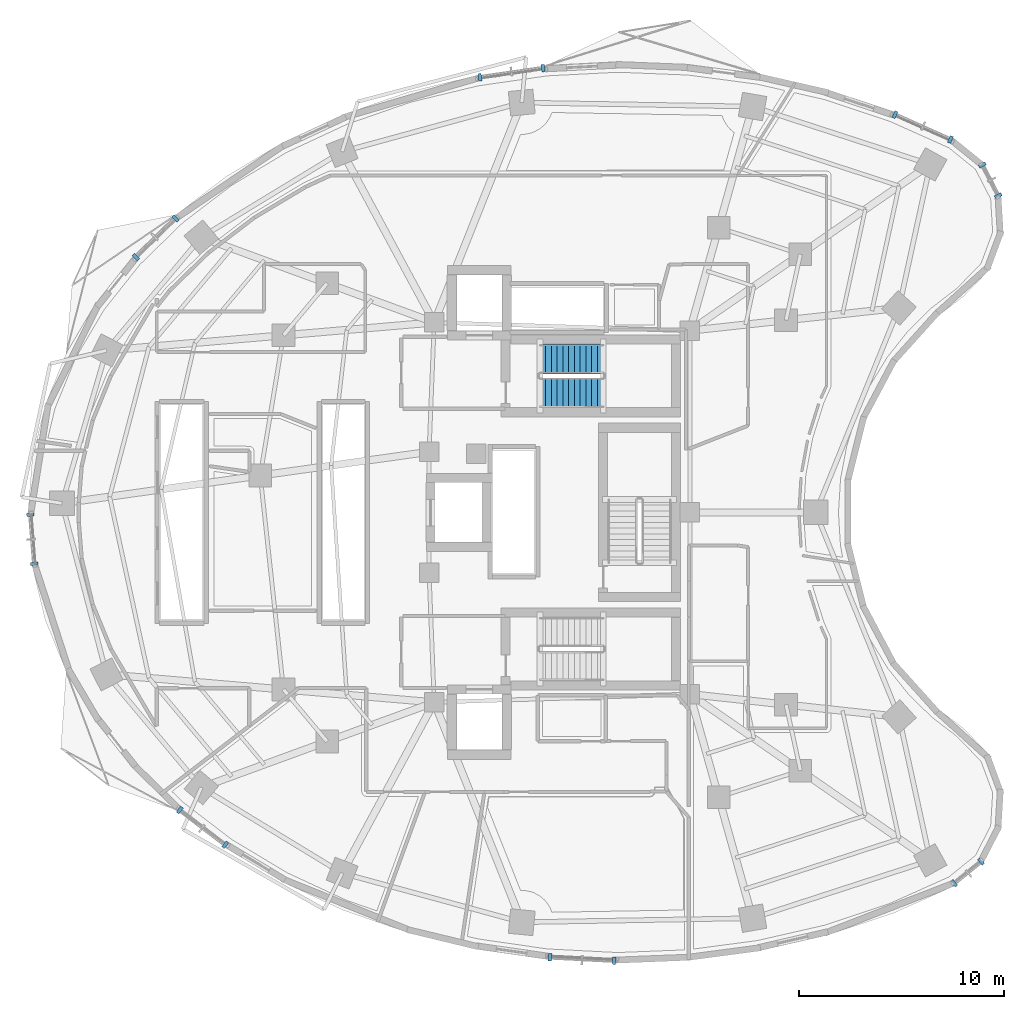
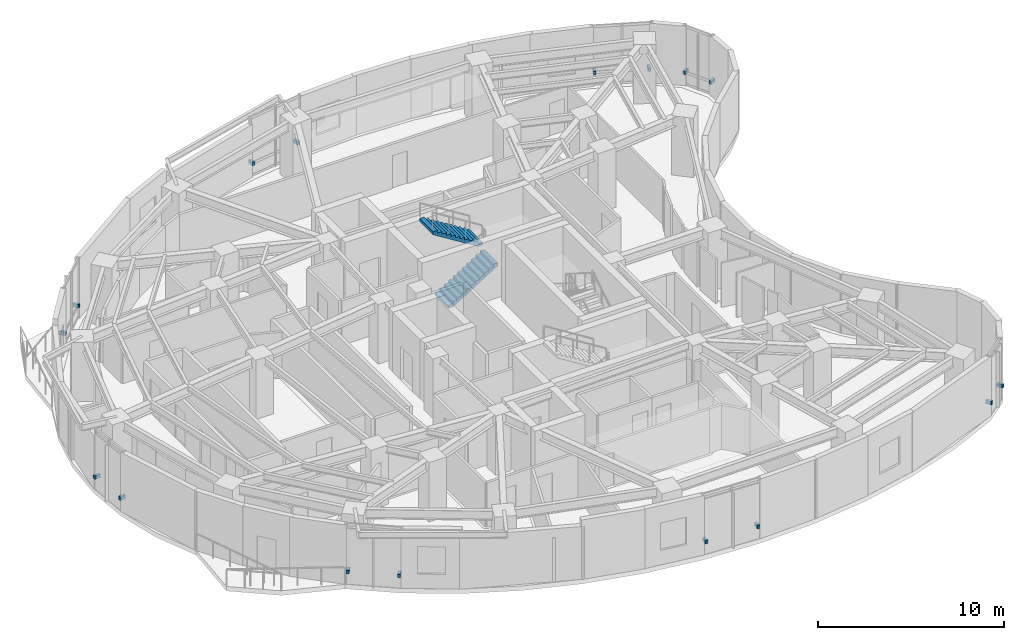
# One storey, part 12 of 15: 16 discrete accessories, 2 stair flights, 1 element without a shape of its own.
"""IFC4 building model written with IfcOpenShell, lengths in metres."""

from ifc_helpers import new_model, si_unit, direction, frame, origin, origin_2d, place, context, subcontext, project, spatial, polyline, rectangle, outline, extrude, material, type_object, element, aggregate, save


model = new_model("IFC4")

# Units and contexts
model_context = context("Model", 3, precision=1e-05, world=origin(), true_north=direction((0.0, 1.0)))
body_context = subcontext(model_context, "Body", "Model", "MODEL_VIEW")
ifc_project = project(units=[si_unit("LENGTHUNIT", "METRE"), si_unit("AREAUNIT", "SQUARE_METRE"), si_unit("VOLUMEUNIT", "CUBIC_METRE"), si_unit("PLANEANGLEUNIT", "RADIAN"), si_unit("MASSUNIT", "GRAM", prefix="KILO")], contexts=[model_context])

# Site, building, storey
site_placement = place(None, origin())
site = spatial("IfcSite", under=ifc_project, at=site_placement, CompositionType="ELEMENT")
building_placement = place(site_placement, origin())
building = spatial("IfcBuilding", under=site, at=building_placement, Name="Korentha Bioscience Tower", CompositionType="ELEMENT")
storey_placement = place(building_placement, frame((0.0, 0.0, 115.199951171875)))
storey = spatial("IfcBuildingStorey", under=building, at=storey_placement, Name="L26", CompositionType="ELEMENT", Elevation=115.199951171875)

# Stair, stair flights
ifc_material_1 = material(Name="Precast Concrete C50", Category="concrete")
stair_type = type_object("IfcStairType", Name="Core Exit Dog-Leg Stair 1450", PredefinedType="HALF_TURN_STAIR", material=ifc_material_1)
stair_placement = place(storey_placement, origin())
stair = element("IfcStair", 1, at=stair_placement, inside=storey, type_object=stair_type, Name="L26 Tower North Pressurized Exit Stair ST-1", PredefinedType="HALF_TURN_STAIR")
stair_flight_type = type_object("IfcStairFlightType", Name="Core Exit Dog-Leg Stair 1450 Flight", PredefinedType="STRAIGHT", material=ifc_material_1)
stair_flight_1_placement = place(storey_placement, frame((30.25, 32.824951171875, 0.0), z_axis=(0.0, 0.0, 1.0), x_axis=(1.0, 0.0, 0.0)))
stair_flight_1 = element("IfcStairFlight", 2, at=stair_flight_1_placement, type_object=stair_flight_type, Name="ST-1 flight 1", NumberOfRisers=12, NumberOfTreads=11, PredefinedType="STRAIGHT", RiserHeight=0.175, TreadLength=0.28, context=body_context, shape_type="SweptSolid", body=[
    extrude(outline(polyline([(0.0, 0.0), (0.0, 0.175048828125), (0.280029296875, 0.175048828125), (0.280029296875, 0.35009765625), (0.56005859375, 0.35009765625), (0.56005859375, 0.52490234375), (0.840087890625, 0.52490234375), (0.840087890625, 0.699951171875), (1.1201171875, 0.699951171875), (1.1201171875, 0.875), (1.39990234375, 0.875), (1.39990234375, 1.050048828125), (1.679931640625, 1.050048828125), (1.679931640625, 1.22509765625), (1.9599609375, 1.22509765625), (1.9599609375, 1.39990234375), (2.239990234375, 1.39990234375), (2.239990234375, 1.574951171875), (2.52001953125, 1.574951171875), (2.52001953125, 1.75), (2.800048828125, 1.75), (2.800048828125, 1.925048828125), (3.080078125, 1.925048828125), (3.080078125, 2.10009765625), (3.080078125, 1.736328125), (0.3017578125, 0.0), (0.0, 0.0)])), frame((0.0, 0.72509765625, 0.0), z_axis=(0.0, -1.0, 0.0), x_axis=(1.0, 0.0, 0.0)), (0.0, 0.0, 1.0), 1.449951171875),
])
stair_flight_2_placement = place(storey_placement, frame((33.330078125, 34.47509765625, 2.10009765625), z_axis=(0.0, 0.0, 1.0), x_axis=(-1.0, 0.0, 0.0)))
stair_flight_2 = element("IfcStairFlight", 3, at=stair_flight_2_placement, type_object=stair_flight_type, Name="ST-1 flight 2", NumberOfRisers=12, NumberOfTreads=11, PredefinedType="STRAIGHT", RiserHeight=0.175, TreadLength=0.28, context=body_context, shape_type="SweptSolid", body=[
    extrude(outline(polyline([(0.0, 0.0), (0.0, 0.175048828125), (0.280029296875, 0.175048828125), (0.280029296875, 0.35009765625), (0.56005859375, 0.35009765625), (0.56005859375, 0.52490234375), (0.840087890625, 0.52490234375), (0.840087890625, 0.699951171875), (1.1201171875, 0.699951171875), (1.1201171875, 0.875), (1.39990234375, 0.875), (1.39990234375, 1.050048828125), (1.679931640625, 1.050048828125), (1.679931640625, 1.22509765625), (1.9599609375, 1.22509765625), (1.9599609375, 1.39990234375), (2.239990234375, 1.39990234375), (2.239990234375, 1.574951171875), (2.52001953125, 1.574951171875), (2.52001953125, 1.75), (2.800048828125, 1.75), (2.800048828125, 1.925048828125), (3.080078125, 1.925048828125), (3.080078125, 2.10009765625), (3.080078125, 1.736328125), (0.3017578125, 0.0), (0.0, 0.0)])), frame((0.0, 0.72509765625, 0.0), z_axis=(0.0, -1.0, 0.0), x_axis=(1.0, 0.0, 0.0)), (0.0, 0.0, 1.0), 1.449951171875),
])
aggregate(stair, [stair_flight_1, stair_flight_2])

# Discrete accessories
ifc_material_2 = material(Name="Stainless Steel 316", Category="steel")
discrete_accessory_type = type_object("IfcDiscreteAccessoryType", Name="Stainless Steel Solar-Screen Outrigger Bracket", PredefinedType="BRACKET", material=ifc_material_2)
for number, where, z_axis, x_axis, name in (
    (4, (50.241455078125, 45.161376953125, 0.740234375), (0.0, 0.0, 1.0), (-0.912686563127, 0.408660295952, 0.0), "CW-L26-01 Solar-Screen Support Bracket 1"),
    (5, (47.542236328125, 46.3701171875, 0.740234375), (0.0, 0.0, 1.0), (-0.912686563127, 0.408660295952, 0.0), "CW-L26-01 Solar-Screen Support Bracket 2"),
    (6, (30.40380859375, 48.635009765625, 0.740234375), (0.0, 0.0, 1.0), (-0.989738282326, -0.14289203091, 0.0), "CW-L26-07 Solar-Screen Support Bracket 1"),
    (7, (27.328369140625, 48.19091796875, 0.740234375), (0.0, 0.0, 1.0), (-0.989738282326, -0.14289203091, 0.0), "CW-L26-07 Solar-Screen Support Bracket 2"),
    (8, (12.496826171875, 41.316162109375, 0.740234375), (0.0, 0.0, 1.0), (-0.716095631804, -0.698002182025, 0.0), "CW-L26-13 Solar-Screen Support Bracket 1"),
    (9, (10.5673828125, 39.435302734375, 0.740234375), (0.0, 0.0, 1.0), (-0.716095631804, -0.698002182025, 0.0), "CW-L26-13 Solar-Screen Support Bracket 2"),
    (10, (5.433349609375, 26.885986328125, 0.740234375), (0.0, 0.0, 1.0), (0.079130214674, -0.996864288219, 0.0), "CW-L26-19 Solar-Screen Support Bracket 1"),
    (11, (5.622802734375, 24.4990234375, 0.740234375), (0.0, 0.0, 1.0), (0.079130214674, -0.996864288219, 0.0), "CW-L26-19 Solar-Screen Support Bracket 2"),
    (12, (12.708740234375, 12.501220703125, 0.740234375), (0.0, 0.0, 1.0), (0.794499603893, -0.607264669986, 0.0), "CW-L26-25 Solar-Screen Support Bracket 1"),
    (13, (14.920166015625, 10.810791015625, 0.740234375), (0.0, 0.0, 1.0), (0.794499603893, -0.607264669986, 0.0), "CW-L26-25 Solar-Screen Support Bracket 2"),
    (14, (30.737060546875, 5.33251953125, 0.740234375), (0.0, 0.0, 1.0), (0.998673231344, -0.051495407527, 0.0), "CW-L26-31 Solar-Screen Support Bracket 1"),
    (15, (33.860107421875, 5.17138671875, 0.740234375), (0.0, 0.0, 1.0), (0.998673231344, -0.051495407527, 0.0), "CW-L26-31 Solar-Screen Support Bracket 2"),
    (16, (50.423095703125, 8.93701171875, 0.740234375), (0.0, 0.0, 1.0), (0.777315301098, 0.629111216463, 0.0), "CW-L26-37 Solar-Screen Support Bracket 1"),
    (17, (51.734619140625, 9.998779296875, 0.740234375), (0.0, 0.0, 1.0), (0.777315301098, 0.629111216463, 0.0), "CW-L26-37 Solar-Screen Support Bracket 2"),
    (18, (52.571044921875, 42.42236328125, 0.740234375), (0.0, 0.0, 1.0), (-0.457613117169, 0.889151412862, 0.0), "CW-L26-61 Solar-Screen Support Bracket 1"),
    (19, (51.798828125, 43.922607421875, 0.740234375), (0.0, 0.0, 1.0), (-0.457613117169, 0.889151412862, 0.0), "CW-L26-61 Solar-Screen Support Bracket 2"),
):
    element("IfcDiscreteAccessory", number, at=place(storey_placement, frame(where, z_axis=z_axis, x_axis=x_axis)), inside=storey, type_object=discrete_accessory_type, Name=name, PredefinedType="BRACKET", context=body_context, shape_type="SweptSolid", body=[
        extrude(rectangle(XDim=0.159912109375, YDim=0.360107421875, at=origin_2d()), origin(), (0.0, 0.0, 1.0), 0.219970703125),
    ])

save(model, "model.ifc")
